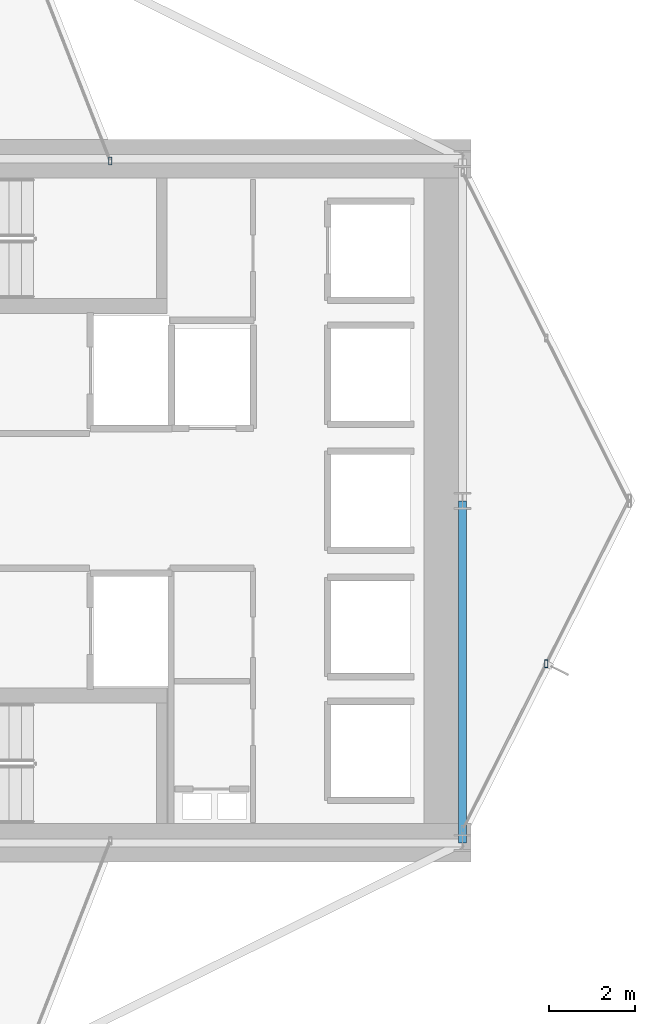
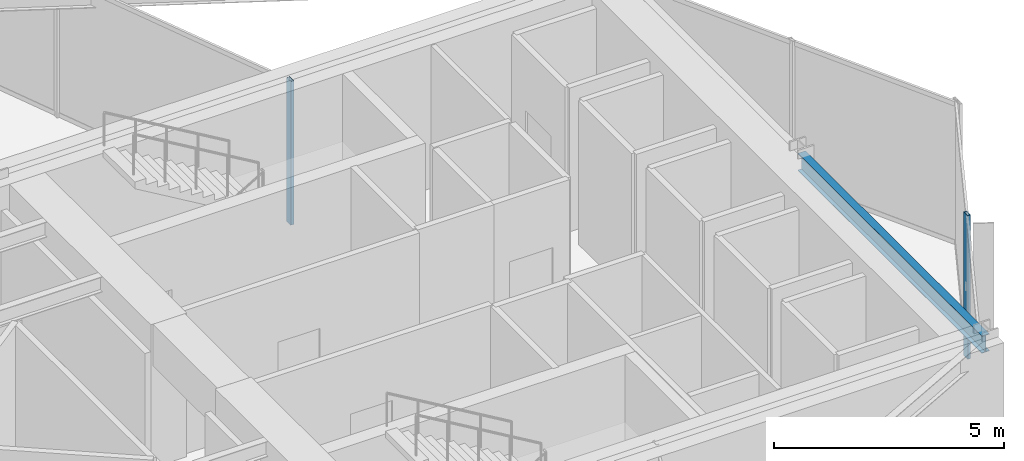
# One storey, part 18 of 30: 2 members, 1 beam, 2 elements without a shape of their own.
"""IFC4 building model written with IfcOpenShell, lengths in metres."""

import ifcopenshell
import ifcopenshell.guid

model = None  # the IFC model being written
_history = None  # IfcOwnerHistory: only IFC2X3 demands one
_inside = {}  # id of a spatial element -> (the spatial element, [elements in it])
_under = {}  # id of a project, library or spatial element -> (it, [spatial elements below it])
_declared = {}  # id of a project -> (the project, [libraries it declares])
_typed = {}  # id of a type object -> (the type object, [elements of that type])
_made_of = {}  # id of a material, layer set ... -> (it, [elements and type objects made of it])


def new_model(schema):
    """Start an empty IFC model of exactly this schema.

    Asked for "IFC4X3", IfcOpenShell would pick the latest addendum, in which some entities
    have other attributes; the version numbers below select the first issue.
    IFC2X3 requires an IfcOwnerHistory on every rooted entity: one is made here for all.
    """
    global model, _history
    if schema == "IFC4X3":
        model = ifcopenshell.file(schema_version=(4, 3, 0, 0))
    else:
        model = ifcopenshell.file(schema=schema)
    _inside.clear()
    _under.clear()
    _declared.clear()
    _typed.clear()
    _made_of.clear()
    _history = None
    if model.schema == "IFC2X3":
        org = make("IfcOrganization", Name="unknown")
        user = make(
            "IfcPersonAndOrganization",
            ThePerson=make("IfcPerson", FamilyName="unknown"),
            TheOrganization=org,
        )
        app = make(
            "IfcApplication",
            ApplicationDeveloper=org,
            Version="unknown",
            ApplicationFullName="unknown",
            ApplicationIdentifier="unknown",
        )
        _history = make(
            "IfcOwnerHistory",
            OwningUser=user,
            OwningApplication=app,
            ChangeAction="ADDED",
            CreationDate=0,
        )
    return model


def make(cls, **values):
    """One entity of the class cls with the attributes given. An attribute that is None is left unset."""
    return model.create_entity(
        cls, **{name: value for name, value in values.items() if value is not None}
    )


def rooted(cls, **values):
    """An entity with a GlobalId (a new one), such as an element, a storey or a relation."""
    return make(cls, GlobalId=ifcopenshell.guid.new(), OwnerHistory=_history, **values)


def si_unit(unit_type, name, prefix=None):
    """IfcSIUnit, for example si_unit("LENGTHUNIT", "METRE", prefix="MILLI")."""
    return make("IfcSIUnit", UnitType=unit_type, Prefix=prefix, Name=name)


def assignment(units):
    """IfcUnitAssignment: the units of a project."""
    return None if units is None else make("IfcUnitAssignment", Units=units)


def point(xyz):
    """IfcCartesianPoint."""
    return None if xyz is None else make("IfcCartesianPoint", Coordinates=xyz)


def direction(xyz):
    """IfcDirection."""
    return None if xyz is None else make("IfcDirection", DirectionRatios=xyz)


def frame(location, z_axis=None, x_axis=None):
    """IfcAxis2Placement3D, a coordinate frame: its origin and axes. An axis left out is left unset."""
    return make(
        "IfcAxis2Placement3D",
        Location=point(location),
        Axis=direction(z_axis),
        RefDirection=direction(x_axis),
    )


def frame_2d(location, x_axis=None):
    """IfcAxis2Placement2D, a coordinate frame in the plane: its origin and x axis."""
    return make(
        "IfcAxis2Placement2D", Location=point(location), RefDirection=direction(x_axis)
    )


def origin():
    """The frame at (0, 0, 0) with its axes left unset."""
    return frame((0.0, 0.0, 0.0))


def origin_2d():
    """The frame at (0, 0) in the plane with its x axis left unset."""
    return frame_2d((0.0, 0.0))


def place(relative_to, where):
    """IfcLocalPlacement: puts the frame where relative to a parent placement (None: the world)."""
    return make(
        "IfcLocalPlacement", PlacementRelTo=relative_to, RelativePlacement=where
    )


def context(
    kind, dimensions, precision=None, world=None, true_north=None, identifier=None
):
    """IfcGeometricRepresentationContext, for example the 3D "Model" context."""
    return make(
        "IfcGeometricRepresentationContext",
        ContextIdentifier=identifier,
        ContextType=kind,
        CoordinateSpaceDimension=dimensions,
        Precision=precision,
        WorldCoordinateSystem=world,
        TrueNorth=true_north,
    )


def subcontext(parent, identifier, kind, view, scale=None):
    """IfcGeometricRepresentationSubContext, for example "Body" below "Model"."""
    return make(
        "IfcGeometricRepresentationSubContext",
        ContextIdentifier=identifier,
        ContextType=kind,
        ParentContext=parent,
        TargetScale=scale,
        TargetView=view,
    )


def project(units=None, contexts=None):
    """IfcProject with its units and contexts."""
    return rooted(
        "IfcProject",
        Name="project",
        RepresentationContexts=contexts,
        UnitsInContext=assignment(units),
    )


def spatial(cls, under=None, at=None, **own):
    """A site, building, storey or space (cls), placed at a placement, below another one or the project."""
    s = rooted(cls, ObjectPlacement=at, **own)
    if under is not None:
        _under.setdefault(under.id(), (under, []))[1].append(s)
    return s


def profile(cls, at=None, kind="AREA", **sizes):
    """A parametric profile (cls). Its sizes go by their IFC names, for example OverallWidth=200.0."""
    return make(cls, ProfileType=kind, Position=at, **sizes)


def hollow_rectangle(**sizes):
    """IfcRectangleHollowProfileDef."""
    return profile("IfcRectangleHollowProfileDef", **sizes)


def i_section(**sizes):
    """IfcIShapeProfileDef."""
    return profile("IfcIShapeProfileDef", **sizes)


def extrude(swept, where, along, depth):
    """IfcExtrudedAreaSolid: the profile swept, set in the frame where, extruded along a direction by depth."""
    return make(
        "IfcExtrudedAreaSolid",
        SweptArea=swept,
        Position=where,
        ExtrudedDirection=direction(along),
        Depth=depth,
    )


def shape(context_of_items, identifier, shape_type, items):
    """IfcShapeRepresentation: the items that make up one representation, for example the "Body"."""
    return make(
        "IfcShapeRepresentation",
        ContextOfItems=context_of_items,
        RepresentationIdentifier=identifier,
        RepresentationType=shape_type,
        Items=items,
    )


def material(Name=None, Category=None):
    """IfcMaterial."""
    return make("IfcMaterial", Name=Name, Category=Category)


def layer(
    of_material, thickness, ventilated=None, Name=None, Category=None, Priority=None
):
    """IfcMaterialLayer: one layer of a wall or slab, of a material (None: an air gap)."""
    return make(
        "IfcMaterialLayer",
        Material=of_material,
        LayerThickness=thickness,
        IsVentilated=ventilated,
        Name=Name,
        Category=Category,
        Priority=Priority,
    )


def layer_set(layers, Name=None):
    """IfcMaterialLayerSet."""
    return make("IfcMaterialLayerSet", MaterialLayers=layers, LayerSetName=Name)


def material_profile(
    of_material, cross_section, Name=None, Category=None, Priority=None
):
    """IfcMaterialProfile: a cross section and its material."""
    return make(
        "IfcMaterialProfile",
        Name=Name,
        Material=of_material,
        Profile=cross_section,
        Priority=Priority,
        Category=Category,
    )


def profile_set(profiles, Name=None, composite=None):
    """IfcMaterialProfileSet."""
    return make(
        "IfcMaterialProfileSet",
        Name=Name,
        MaterialProfiles=profiles,
        CompositeProfile=composite,
    )


def made_of(thing, what):
    """Note that an element or type object is made of a material, layer set ...; save() writes the relation."""
    if what is not None:
        _made_of.setdefault(what.id(), (what, []))[1].append(thing)
    return thing


def type_object(cls, material=None, **own):
    """A type object (cls), such as IfcWallType, which elements share."""
    return made_of(rooted(cls, **own), material)


def element(
    cls,
    number,
    at=None,
    inside=None,
    cuts=None,
    type_object=None,
    material=None,
    context=None,
    identifier="Body",
    shape_type=None,
    held_by="IfcProductDefinitionShape",
    body=None,
    shapes=None,
    **own,
):
    """One element of the class cls, such as IfcWall. Its Tag is "e" and its number.

    at: its placement. inside: the storey or other place that contains it. cuts: it is an
    opening in that element (IfcRelVoidsElement). A single representation is given by context,
    identifier, shape_type and body (its items); several are given by shapes. held_by: the class
    of the entity that holds the representations. save() writes the other relations.
    """
    e = rooted(cls, Tag="e%d" % number, ObjectPlacement=at, **own)
    if body is not None:
        shapes = [shape(context, identifier, shape_type, body)]
    if shapes is not None:
        e.Representation = make(held_by, Representations=shapes)
    if inside is not None:
        _inside.setdefault(inside.id(), (inside, []))[1].append(e)
    if cuts is not None:
        rooted(
            "IfcRelVoidsElement", RelatingBuildingElement=cuts, RelatedOpeningElement=e
        )
    if type_object is not None:
        _typed.setdefault(type_object.id(), (type_object, []))[1].append(e)
    return made_of(e, material)


def aggregate(whole, parts):
    """IfcRelAggregates: a whole, such as a stair, and the parts it consists of."""
    return rooted("IfcRelAggregates", RelatingObject=whole, RelatedObjects=parts)


def save(model, path):
    """Write the relations noted so far, then the file.

    IfcRelAggregates (storeys below a building ...), IfcRelContainedInSpatialStructure (elements
    in a storey), IfcRelDefinesByType, IfcRelAssociatesMaterial and IfcRelDeclares: one each for
    every whole, place, type object, material and project.
    """
    for whole, parts in _under.values():
        aggregate(whole, parts)
    for where, things in _inside.values():
        rooted(
            "IfcRelContainedInSpatialStructure",
            RelatedElements=things,
            RelatingStructure=where,
        )
    for kind, things in _typed.values():
        rooted("IfcRelDefinesByType", RelatedObjects=things, RelatingType=kind)
    for what, things in _made_of.values():
        rooted("IfcRelAssociatesMaterial", RelatedObjects=things, RelatingMaterial=what)
    for by, libraries in _declared.values():
        rooted("IfcRelDeclares", RelatingContext=by, RelatedDefinitions=libraries)
    model.write(path)


model = new_model("IFC4")

# Units and contexts
model_context = context("Model", 3, precision=1e-05, world=origin(), true_north=direction((0.0, 1.0)))
body_context = subcontext(model_context, "Body", "Model", "MODEL_VIEW")
ifc_project = project(units=[si_unit("LENGTHUNIT", "METRE"), si_unit("AREAUNIT", "SQUARE_METRE"), si_unit("VOLUMEUNIT", "CUBIC_METRE"), si_unit("PLANEANGLEUNIT", "RADIAN"), si_unit("MASSUNIT", "GRAM", prefix="KILO")], contexts=[model_context])

# Site, building, storey
site_placement = place(None, origin())
site = spatial("IfcSite", under=ifc_project, at=site_placement, CompositionType="ELEMENT")
building_placement = place(site_placement, origin())
building = spatial("IfcBuilding", under=site, at=building_placement, Name="Veymaron Broadcast Tower", CompositionType="ELEMENT")
storey_placement = place(building_placement, frame((0.0, 0.0, 54.0)))
storey = spatial("IfcBuildingStorey", under=building, at=storey_placement, Name="L11", CompositionType="ELEMENT", Elevation=54.0)

# Beam
ifc_material_1 = material(Name="Structural steel ASTM A992 Gr 50", Category="steel")
ifc_material_profile_1 = material_profile(ifc_material_1, i_section(OverallWidth=0.19091796875, OverallDepth=0.4599609375, WebThickness=0.010009765625, FlangeThickness=0.01611328125, at=origin_2d()), Name="W460X82")
ifc_profile_set_1 = profile_set([ifc_material_profile_1], Name="Structural steel ASTM A992 Gr 50")
beam_type = type_object("IfcBeamType", Name="BM-SP1", PredefinedType="SPANDREL", material=ifc_profile_set_1)
beam_placement = place(storey_placement, frame((54.60009765625, 16.0, 3.580078125), z_axis=(0.0, 1.0, 0.0), x_axis=(-1.0, 0.0, 0.0)))
element("IfcBeam", 1, at=beam_placement, inside=storey, type_object=beam_type, Name="L11 primary structural floor girder", PredefinedType="SPANDREL", context=body_context, shape_type="SweptSolid", body=[
    extrude(i_section(OverallWidth=0.19091796875, OverallDepth=0.4599609375, WebThickness=0.010009765625, FlangeThickness=0.01611328125, at=origin_2d()), origin(), (0.0, 0.0, 1.0), 8.0),
])

# Curtain wall, member
ifc_material_2 = material(Name="Anodised aluminium AA 6063-T6 and laminated low-E dark glass", Category="aluminium")
ifc_layer = layer(ifc_material_2, 0.179931640625)
ifc_layer_set = layer_set([ifc_layer], Name="Anodised aluminium AA 6063-T6 and laminated low-E dark glass")
curtain_wall_type = type_object("IfcCurtainWallType", Name="CW-SYS-02", PredefinedType="NOTDEFINED", material=ifc_layer_set)
curtain_wall_1_placement = place(storey_placement, origin())
curtain_wall_1 = element("IfcCurtainWall", 2, at=curtain_wall_1_placement, inside=storey, type_object=curtain_wall_type, Name="L11 dark-glass curtain wall CW-L11-E2-1", PredefinedType="NOTDEFINED")
ifc_material_3 = material(Name="Anodised aluminium AA 6063-T6", Category="aluminium")
ifc_material_profile_2 = material_profile(ifc_material_3, hollow_rectangle(XDim=0.074951171875, YDim=0.179931640625, WallThickness=0.0048828125, at=origin_2d()), Name="AL180X75X5")
ifc_profile_set_2 = profile_set([ifc_material_profile_2], Name="Anodised aluminium AA 6063-T6")
member_type = type_object("IfcMemberType", Name="CW-MUL-02", PredefinedType="MULLION", material=ifc_profile_set_2)
member_1_placement = place(storey_placement, frame((56.555419921875, 20.19091796875, 0.0), z_axis=(0.0, 0.0, 1.0), x_axis=(1.0, 0.0, 0.0)))
member_1 = element("IfcMember", 3, at=member_1_placement, type_object=member_type, Name="CW-L11-E2-1 mullion 1", PredefinedType="MULLION", context=body_context, shape_type="SweptSolid", body=[
    extrude(hollow_rectangle(XDim=0.074951171875, YDim=0.179931640625, WallThickness=0.0048828125, at=origin_2d()), origin(), (0.0, 0.0, 1.0), 3.81005859375),
])
aggregate(curtain_wall_1, [member_1])

curtain_wall_2_placement = place(storey_placement, origin())
curtain_wall_2 = element("IfcCurtainWall", 4, at=curtain_wall_2_placement, inside=storey, type_object=curtain_wall_type, Name="L11 dark-glass curtain wall CW-L11-E5-1", PredefinedType="NOTDEFINED")
member_2_placement = place(storey_placement, frame((46.356689453125, 31.948974609375, 0.0), z_axis=(0.0, 0.0, 1.0), x_axis=(1.0, 0.0, 0.0)))
member_2 = element("IfcMember", 5, at=member_2_placement, type_object=member_type, Name="CW-L11-E5-1 mullion 0", PredefinedType="MULLION", context=body_context, shape_type="SweptSolid", body=[
    extrude(hollow_rectangle(XDim=0.074951171875, YDim=0.179931640625, WallThickness=0.0048828125, at=origin_2d()), origin(), (0.0, 0.0, 1.0), 3.81005859375),
])
aggregate(curtain_wall_2, [member_2])

save(model, "model.ifc")
